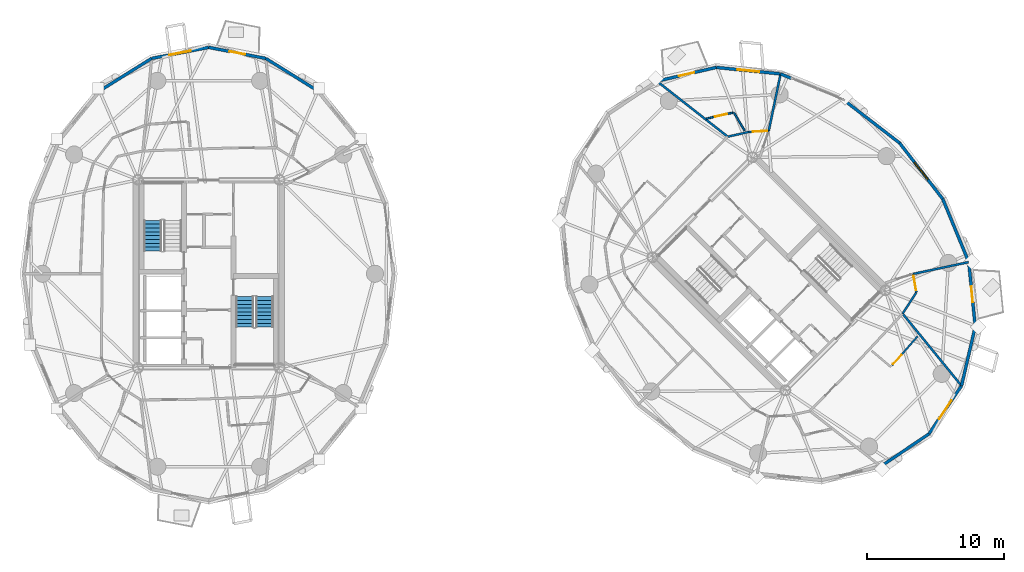
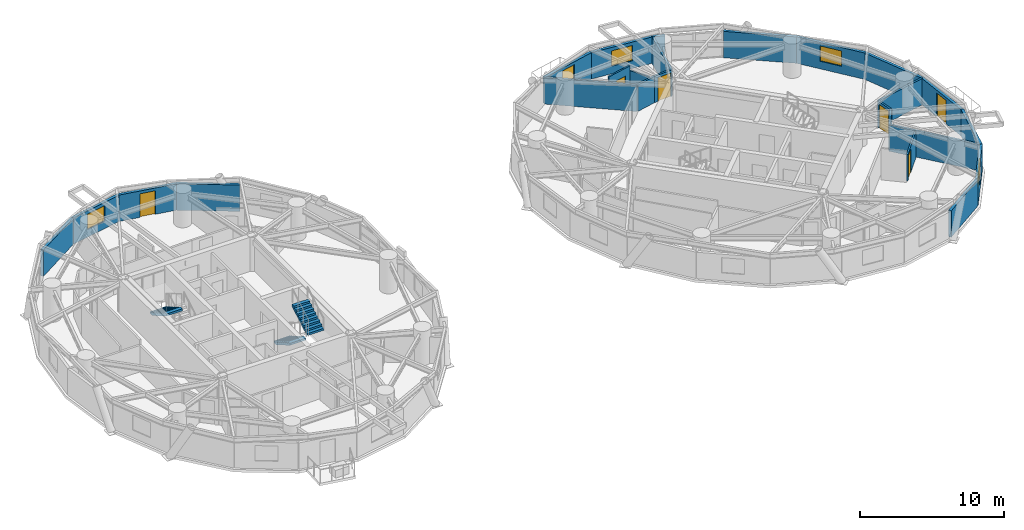
# One storey, part 15 of 19: 25 walls, 7 doors, 4 windows, 3 stair flights, 11 openings, 2 elements without a shape of their own.
"""IFC4 building model written with IfcOpenShell, lengths in metres."""

from ifc_helpers import new_model, si_unit, direction, frame, frame_2d, origin, place, context, subcontext, project, spatial, polyline, rectangle, outline, extrude, source, transform, mapped, material, layer, layer_set, type_object, element, fill, aggregate, save


model = new_model("IFC4")

# Units and contexts
model_context = context("Model", 3, precision=1e-05, world=origin(), true_north=direction((0.0, 1.0)))
body_context = subcontext(model_context, "Body", "Model", "MODEL_VIEW")
ifc_project = project(units=[si_unit("LENGTHUNIT", "METRE"), si_unit("AREAUNIT", "SQUARE_METRE"), si_unit("VOLUMEUNIT", "CUBIC_METRE"), si_unit("PLANEANGLEUNIT", "RADIAN"), si_unit("MASSUNIT", "GRAM", prefix="KILO")], contexts=[model_context])

# Site, building, storey
site_placement = place(None, origin())
site = spatial("IfcSite", under=ifc_project, at=site_placement, CompositionType="ELEMENT")
building_placement = place(site_placement, origin())
building = spatial("IfcBuilding", under=site, at=building_placement, Name="Cununo Teusaquillo Station Towers", CompositionType="ELEMENT")
storey_placement = place(building_placement, frame((0.0, 0.0, 177.7900390625)))
storey = spatial("IfcBuildingStorey", under=building, at=storey_placement, Name="L56", CompositionType="ELEMENT", Elevation=177.7900390625)

# Wall
ifc_material_1 = material(Name="Precast concrete C40/50", Category="concrete")
ifc_layer_1 = layer(ifc_material_1, 0.219970703125)
ifc_layer_set_1 = layer_set([ifc_layer_1], Name="Precast concrete C40/50")
wall_type_1 = type_object("IfcWallType", Name="WL-EXT-220", PredefinedType="SOLIDWALL", material=ifc_layer_set_1)
wall_1_placement = place(storey_placement, frame((20.681396484375, 40.259033203125, 0.0), z_axis=(0.0, 0.0, 1.0), x_axis=(0.848399108042, -0.529357113368, 0.0)))
element("IfcWall", 1, at=wall_1_placement, inside=storey, type_object=wall_type_1, Name="L56 Tower A Exterior Facade Wall C03", PredefinedType="SOLIDWALL", context=body_context, shape_type="SweptSolid", body=[
    extrude(rectangle(XDim=4.446044921875, YDim=0.219970703125, at=frame_2d((2.22314453125, 0.0))), origin(), (0.0, 0.0, 1.0), 2.244873046875),
])

# Wall, opening, door
wall_2_placement = place(storey_placement, frame((16.5, 41.070068359375, 0.0), z_axis=(0.0, 0.0, 1.0), x_axis=(0.981703883443, -0.190413983815, 0.0)))
wall_2 = element("IfcWall", 2, at=wall_2_placement, inside=storey, type_object=wall_type_1, Name="L56 Tower A Exterior Facade Wall C04", PredefinedType="SOLIDWALL", context=body_context, shape_type="SweptSolid", body=[
    extrude(rectangle(XDim=4.25927734375, YDim=0.219970703125, at=frame_2d((2.129638671875, 0.0))), origin(), (0.0, 0.0, 1.0), 2.244873046875),
])
shared_shape_1 = source(origin(), body_context, "Body", "SweptSolid", [
    extrude(rectangle(XDim=1.14990234375, YDim=2.0048828125, at=frame_2d((0.574951171875, 1.00244140625))), frame((0.0, 0.119873046875, 0.0), z_axis=(0.0, -1.0, 0.0), x_axis=(1.0, 0.0, 0.0)), (0.0, 0.0, 1.0), 0.239990234375),
])
opening_1_placement = place(wall_2_placement, frame((1.554931640625, 0.0, 0.0)))
opening_1 = element("IfcOpeningElement", 3, at=opening_1_placement, cuts=wall_2, Name="Opening ED-03", PredefinedType="OPENING", context=body_context, shape_type="MappedRepresentation", body=[
    mapped(shared_shape_1, transform((0.0, 0.0, 0.0), x_axis=(1.0, 0.0, 0.0), y_axis=(0.0, 1.0, 0.0), z_axis=(0.0, 0.0, 1.0), scale=1.0)),
])
ifc_material_2 = material(Name="Anodised dark bronze aluminium EN AW-6063-T6", Category="aluminium")
door_type_1 = type_object("IfcDoorType", Name="DR-EXT-BAL", OperationType="NOTDEFINED", PredefinedType="DOOR", material=ifc_material_2)
shared_shape_2 = source(origin(), body_context, "Body", "SweptSolid", [
    extrude(rectangle(XDim=1.14990234375, YDim=2.0048828125, at=frame_2d((0.574951171875, 1.00244140625))), frame((0.0, 0.02490234375, 0.0), z_axis=(0.0, -1.0, 0.0), x_axis=(1.0, 0.0, 0.0)), (0.0, 0.0, 1.0), 0.050048828125),
])
door_1_placement = place(opening_1_placement, origin())
door_1 = element("IfcDoor", 4, at=door_1_placement, inside=storey, type_object=door_type_1, Name="L56 Tower A Tree Balcony Door C04", OperationType="SINGLE_SWING_LEFT", OverallHeight=2.0048828125, OverallWidth=1.14990234375, PredefinedType="DOOR", context=body_context, shape_type="MappedRepresentation", body=[
    mapped(shared_shape_2, transform((0.0, 0.0, 0.0), x_axis=(1.0, 0.0, 0.0), y_axis=(0.0, 1.0, 0.0), z_axis=(0.0, 0.0, 1.0), scale=1.0)),
])
fill(opening_1, door_1)

# Wall, opening, window
wall_3_placement = place(storey_placement, frame((12.318603515625, 40.259033203125, 0.0), z_axis=(0.0, 0.0, 1.0), x_axis=(0.981703883443, 0.190413983815, 0.0)))
wall_3 = element("IfcWall", 5, at=wall_3_placement, inside=storey, type_object=wall_type_1, Name="L56 Tower A Exterior Facade Wall C05", PredefinedType="SOLIDWALL", context=body_context, shape_type="SweptSolid", body=[
    extrude(rectangle(XDim=4.25927734375, YDim=0.219970703125, at=frame_2d((2.129638671875, 0.0))), origin(), (0.0, 0.0, 1.0), 2.244873046875),
])
shared_shape_3 = source(origin(), body_context, "Body", "SweptSolid", [
    extrude(rectangle(XDim=1.60009765625, YDim=1.300048828125, at=frame_2d((0.800048828125, 0.64990234375))), frame((0.0, 0.119873046875, 0.0), z_axis=(0.0, -1.0, 0.0), x_axis=(1.0, 0.0, 0.0)), (0.0, 0.0, 1.0), 0.239990234375),
])
opening_2_placement = place(wall_3_placement, frame((1.330078125, 0.0, 0.64990234375)))
opening_2 = element("IfcOpeningElement", 6, at=opening_2_placement, cuts=wall_3, Name="Opening WN-03", PredefinedType="OPENING", context=body_context, shape_type="MappedRepresentation", body=[
    mapped(shared_shape_3, transform((0.0, 0.0, 0.0), x_axis=(1.0, 0.0, 0.0), y_axis=(0.0, 1.0, 0.0), z_axis=(0.0, 0.0, 1.0), scale=1.0)),
])
ifc_material_3 = material(Name="Ceramic-fritted dark low-E double glazing", Category="glass")
window_type = type_object("IfcWindowType", Name="WIN-CORN-1600", PartitioningType="SINGLE_PANEL", PredefinedType="WINDOW", material=ifc_material_3)
shared_shape_4 = source(origin(), body_context, "Body", "SweptSolid", [
    extrude(rectangle(XDim=1.60009765625, YDim=1.300048828125, at=frame_2d((0.800048828125, 0.64990234375))), frame((0.0, 0.030029296875, 0.0), z_axis=(0.0, -1.0, 0.0), x_axis=(1.0, 0.0, 0.0)), (0.0, 0.0, 1.0), 0.06005859375),
])
window_1_placement = place(opening_2_placement, origin())
window_1 = element("IfcWindow", 7, at=window_1_placement, inside=storey, type_object=window_type, Name="L56 Tower A Facade Window C05", OverallHeight=1.300048828125, OverallWidth=1.60009765625, PartitioningType="SINGLE_PANEL", PredefinedType="WINDOW", context=body_context, shape_type="MappedRepresentation", body=[
    mapped(shared_shape_4, transform((0.0, 0.0, 0.0), x_axis=(1.0, 0.0, 0.0), y_axis=(0.0, 1.0, 0.0), z_axis=(0.0, 0.0, 1.0), scale=1.0)),
])
fill(opening_2, window_1)

# Walls
wall_4_placement = place(storey_placement, frame((8.546630859375, 37.905517578125, 0.0), z_axis=(0.0, 0.0, 1.0), x_axis=(0.848399108042, 0.529357113368, 0.0)))
element("IfcWall", 8, at=wall_4_placement, inside=storey, type_object=wall_type_1, Name="L56 Tower A Exterior Facade Wall C06", PredefinedType="SOLIDWALL", context=body_context, shape_type="SweptSolid", body=[
    extrude(rectangle(XDim=4.446044921875, YDim=0.219970703125, at=frame_2d((2.22314453125, 0.0))), origin(), (0.0, 0.0, 1.0), 2.244873046875),
])
wall_5_placement = place(storey_placement, frame((62.97900390625, 37.22021484375, 0.0), z_axis=(0.0, 0.0, 1.0), x_axis=(0.791962560189, -0.610569654715, 0.0)))
element("IfcWall", 9, at=wall_5_placement, inside=storey, type_object=wall_type_1, Name="L56 Tower B Exterior Facade Wall C00", PredefinedType="SOLIDWALL", context=body_context, shape_type="SweptSolid", body=[
    extrude(rectangle(XDim=5.162841796875, YDim=0.219970703125, at=frame_2d((2.58154296875, 0.0))), origin(), (0.0, 0.0, 1.0), 2.244873046875),
])
wall_6_placement = place(storey_placement, frame((58.353515625, 39.12744140625, 0.0), z_axis=(0.0, 0.0, 1.0), x_axis=(0.924556017656, -0.381046152345, 0.0)))
element("IfcWall", 10, at=wall_6_placement, inside=storey, type_object=wall_type_1, Name="L56 Tower B Column Pier Cladding Wall C01-PA", PredefinedType="SOLIDWALL", context=body_context, shape_type="SweptSolid", body=[
    extrude(rectangle(XDim=0.8701171875, YDim=0.219970703125, at=frame_2d((0.43505859375, 0.0))), origin(), (0.0, 0.0, 1.0), 2.244873046875),
])

# Wall, opening, window
wall_7_placement = place(storey_placement, frame((53.644775390625, 39.602783203125, 0.0), z_axis=(0.0, 0.0, 1.0), x_axis=(0.994943283129, -0.100438356004, 0.0)))
wall_7 = element("IfcWall", 11, at=wall_7_placement, inside=storey, type_object=wall_type_1, Name="L56 Tower B Exterior Facade Wall C02", PredefinedType="SOLIDWALL", context=body_context, shape_type="SweptSolid", body=[
    extrude(rectangle(XDim=4.732666015625, YDim=0.219970703125, at=frame_2d((2.3662109375, 0.0))), origin(), (0.0, 0.0, 1.0), 2.244873046875),
])
opening_3_placement = place(wall_7_placement, frame((1.56591796875, 0.0, 0.64990234375)))
opening_3 = element("IfcOpeningElement", 12, at=opening_3_placement, cuts=wall_7, Name="Opening WN-03", PredefinedType="OPENING", context=body_context, shape_type="MappedRepresentation", body=[
    mapped(shared_shape_3, transform((0.0, 0.0, 0.0), x_axis=(1.0, 0.0, 0.0), y_axis=(0.0, 1.0, 0.0), z_axis=(0.0, 0.0, 1.0), scale=1.0)),
])
window_2_placement = place(opening_3_placement, origin())
window_2 = element("IfcWindow", 13, at=window_2_placement, inside=storey, type_object=window_type, Name="L56 Tower B Facade Window C02", OverallHeight=1.300048828125, OverallWidth=1.60009765625, PartitioningType="SINGLE_PANEL", PredefinedType="WINDOW", context=body_context, shape_type="MappedRepresentation", body=[
    mapped(shared_shape_4, transform((0.0, 0.0, 0.0), x_axis=(1.0, 0.0, 0.0), y_axis=(0.0, 1.0, 0.0), z_axis=(0.0, 0.0, 1.0), scale=1.0)),
])
fill(opening_3, window_2)

# Wall, opening, door
wall_8_placement = place(storey_placement, frame((49.313232421875, 38.599853515625, 0.0), z_axis=(0.0, 0.0, 1.0), x_axis=(0.97422620202, 0.22557328587, 0.0)))
wall_8 = element("IfcWall", 14, at=wall_8_placement, inside=storey, type_object=wall_type_1, Name="L56 Tower B Exterior Facade Wall C03", PredefinedType="SOLIDWALL", context=body_context, shape_type="SweptSolid", body=[
    extrude(rectangle(XDim=4.446044921875, YDim=0.219970703125, at=frame_2d((2.22314453125, 0.0))), origin(), (0.0, 0.0, 1.0), 2.244873046875),
])
opening_4_placement = place(wall_8_placement, frame((1.64794921875, 0.0, 0.0)))
opening_4 = element("IfcOpeningElement", 15, at=opening_4_placement, cuts=wall_8, Name="Opening ED-03", PredefinedType="OPENING", context=body_context, shape_type="MappedRepresentation", body=[
    mapped(shared_shape_1, transform((0.0, 0.0, 0.0), x_axis=(1.0, 0.0, 0.0), y_axis=(0.0, 1.0, 0.0), z_axis=(0.0, 0.0, 1.0), scale=1.0)),
])
door_2_placement = place(opening_4_placement, origin())
door_2 = element("IfcDoor", 16, at=door_2_placement, inside=storey, type_object=door_type_1, Name="L56 Tower B Tree Balcony Door C03", OperationType="SINGLE_SWING_LEFT", OverallHeight=2.0048828125, OverallWidth=1.14990234375, PredefinedType="DOOR", context=body_context, shape_type="MappedRepresentation", body=[
    mapped(shared_shape_2, transform((0.0, 0.0, 0.0), x_axis=(1.0, 0.0, 0.0), y_axis=(0.0, 1.0, 0.0), z_axis=(0.0, 0.0, 1.0), scale=1.0)),
])
fill(opening_4, door_2)

# Wall
wall_9_placement = place(storey_placement, frame((69.216796875, 12.783203125, 0.0), z_axis=(0.0, 0.0, 1.0), x_axis=(-0.828817439852, -0.55951912514, 0.0)))
element("IfcWall", 17, at=wall_9_placement, inside=storey, type_object=wall_type_1, Name="L56 Tower B Exterior Facade Wall C14", PredefinedType="SOLIDWALL", context=body_context, shape_type="SweptSolid", body=[
    extrude(rectangle(XDim=4.259033203125, YDim=0.219970703125, at=frame_2d((2.12939453125, 0.0))), origin(), (0.0, 0.0, 1.0), 2.244873046875),
])

# Wall, opening, window
wall_10_placement = place(storey_placement, frame((71.599853515625, 16.313232421875, 0.0), z_axis=(0.0, 0.0, 1.0), x_axis=(-0.55951912514, -0.828817439852, 0.0)))
wall_10 = element("IfcWall", 18, at=wall_10_placement, inside=storey, type_object=wall_type_1, Name="L56 Tower B Exterior Facade Wall C15", PredefinedType="SOLIDWALL", context=body_context, shape_type="SweptSolid", body=[
    extrude(rectangle(XDim=4.259033203125, YDim=0.219970703125, at=frame_2d((2.12939453125, 0.0))), origin(), (0.0, 0.0, 1.0), 2.244873046875),
])
opening_5_placement = place(wall_10_placement, frame((1.330078125, 0.0, 0.64990234375)))
opening_5 = element("IfcOpeningElement", 19, at=opening_5_placement, cuts=wall_10, Name="Opening WN-03", PredefinedType="OPENING", context=body_context, shape_type="MappedRepresentation", body=[
    mapped(shared_shape_3, transform((0.0, 0.0, 0.0), x_axis=(1.0, 0.0, 0.0), y_axis=(0.0, 1.0, 0.0), z_axis=(0.0, 0.0, 1.0), scale=1.0)),
])
window_3_placement = place(opening_5_placement, origin())
window_3 = element("IfcWindow", 20, at=window_3_placement, inside=storey, type_object=window_type, Name="L56 Tower B Facade Window C15", OverallHeight=1.300048828125, OverallWidth=1.60009765625, PartitioningType="SINGLE_PANEL", PredefinedType="WINDOW", context=body_context, shape_type="MappedRepresentation", body=[
    mapped(shared_shape_4, transform((0.0, 0.0, 0.0), x_axis=(1.0, 0.0, 0.0), y_axis=(0.0, 1.0, 0.0), z_axis=(0.0, 0.0, 1.0), scale=1.0)),
])
fill(opening_5, window_3)

# Wall
wall_11_placement = place(storey_placement, frame((72.602783203125, 20.644775390625, 0.0), z_axis=(0.0, 0.0, 1.0), x_axis=(-0.22557328587, -0.97422620202, 0.0)))
element("IfcWall", 21, at=wall_11_placement, inside=storey, type_object=wall_type_1, Name="L56 Tower B Exterior Facade Wall C16", PredefinedType="SOLIDWALL", context=body_context, shape_type="SweptSolid", body=[
    extrude(rectangle(XDim=4.446044921875, YDim=0.219970703125, at=frame_2d((2.22314453125, 0.0))), origin(), (0.0, 0.0, 1.0), 2.244873046875),
])

# Wall, opening, door
wall_12_placement = place(storey_placement, frame((72.12744140625, 25.353515625, 0.0), z_axis=(0.0, 0.0, 1.0), x_axis=(0.100438356004, -0.994943283129, 0.0)))
wall_12 = element("IfcWall", 22, at=wall_12_placement, inside=storey, type_object=wall_type_1, Name="L56 Tower B Exterior Facade Wall C17", PredefinedType="SOLIDWALL", context=body_context, shape_type="SweptSolid", body=[
    extrude(rectangle(XDim=4.732666015625, YDim=0.219970703125, at=frame_2d((2.3662109375, 0.0))), origin(), (0.0, 0.0, 1.0), 2.244873046875),
])
opening_6_placement = place(wall_12_placement, frame((1.791015625, 0.0, 0.0)))
opening_6 = element("IfcOpeningElement", 23, at=opening_6_placement, cuts=wall_12, Name="Opening ED-03", PredefinedType="OPENING", context=body_context, shape_type="MappedRepresentation", body=[
    mapped(shared_shape_1, transform((0.0, 0.0, 0.0), x_axis=(1.0, 0.0, 0.0), y_axis=(0.0, 1.0, 0.0), z_axis=(0.0, 0.0, 1.0), scale=1.0)),
])
door_3_placement = place(opening_6_placement, origin())
door_3 = element("IfcDoor", 24, at=door_3_placement, inside=storey, type_object=door_type_1, Name="L56 Tower B Tree Balcony Door C17", OperationType="SINGLE_SWING_LEFT", OverallHeight=2.0048828125, OverallWidth=1.14990234375, PredefinedType="DOOR", context=body_context, shape_type="MappedRepresentation", body=[
    mapped(shared_shape_2, transform((0.0, 0.0, 0.0), x_axis=(1.0, 0.0, 0.0), y_axis=(0.0, 1.0, 0.0), z_axis=(0.0, 0.0, 1.0), scale=1.0)),
])
fill(opening_6, door_3)

# Wall
wall_13_placement = place(storey_placement, frame((70.22021484375, 29.97900390625, 0.0), z_axis=(0.0, 0.0, 1.0), x_axis=(0.381196434348, -0.924494066201, 0.0)))
element("IfcWall", 25, at=wall_13_placement, inside=storey, type_object=wall_type_1, Name="L56 Tower B Exterior Facade Wall C18", PredefinedType="SOLIDWALL", context=body_context, shape_type="SweptSolid", body=[
    extrude(rectangle(XDim=5.003173828125, YDim=0.219970703125, at=frame_2d((2.50146484375, 0.0))), origin(), (0.0, 0.0, 1.0), 2.244873046875),
])

# Wall, opening, window
wall_14_placement = place(storey_placement, frame((67.06787109375, 34.06787109375, 0.0), z_axis=(0.0, 0.0, 1.0), x_axis=(0.610569654715, -0.791962560189, 0.0)))
wall_14 = element("IfcWall", 26, at=wall_14_placement, inside=storey, type_object=wall_type_1, Name="L56 Tower B Exterior Facade Wall C19", PredefinedType="SOLIDWALL", context=body_context, shape_type="SweptSolid", body=[
    extrude(rectangle(XDim=5.162841796875, YDim=0.219970703125, at=frame_2d((2.58154296875, 0.0))), origin(), (0.0, 0.0, 1.0), 2.244873046875),
])
opening_7_placement = place(wall_14_placement, frame((1.781982421875, 0.0, 0.64990234375)))
opening_7 = element("IfcOpeningElement", 27, at=opening_7_placement, cuts=wall_14, Name="Opening WN-03", PredefinedType="OPENING", context=body_context, shape_type="MappedRepresentation", body=[
    mapped(shared_shape_3, transform((0.0, 0.0, 0.0), x_axis=(1.0, 0.0, 0.0), y_axis=(0.0, 1.0, 0.0), z_axis=(0.0, 0.0, 1.0), scale=1.0)),
])
window_4_placement = place(opening_7_placement, origin())
window_4 = element("IfcWindow", 28, at=window_4_placement, inside=storey, type_object=window_type, Name="L56 Tower B Facade Window C19", OverallHeight=1.300048828125, OverallWidth=1.60009765625, PartitioningType="SINGLE_PANEL", PredefinedType="WINDOW", context=body_context, shape_type="MappedRepresentation", body=[
    mapped(shared_shape_4, transform((0.0, 0.0, 0.0), x_axis=(1.0, 0.0, 0.0), y_axis=(0.0, 1.0, 0.0), z_axis=(0.0, 0.0, 1.0), scale=1.0)),
])
fill(opening_7, window_4)

# Wall
ifc_material_4 = material(Name="Fire-rated gypsum plasterboard partition assembly", Category="gypsum")
ifc_layer_2 = layer(ifc_material_4, 0.125)
ifc_layer_set_2 = layer_set([ifc_layer_2], Name="Fire-rated gypsum plasterboard partition assembly")
wall_type_2 = type_object("IfcWallType", Name="WL-PART-125", PredefinedType="PARTITIONING", material=ifc_layer_set_2)
wall_15_placement = place(storey_placement, frame((55.726806640625, 34.969970703125, 0.0), z_axis=(0.0, 0.0, 1.0), x_axis=(-0.514518774568, 0.857479113808, 0.0)))
element("IfcWall", 29, at=wall_15_placement, inside=storey, type_object=wall_type_2, Name="L56 Tower B S01 En-suite Side Wall", PredefinedType="PARTITIONING", context=body_context, shape_type="SweptSolid", body=[
    extrude(rectangle(XDim=1.5595703125, YDim=0.125, at=frame_2d((0.77978515625, 0.0))), origin(), (0.0, 0.0, 1.0), 2.244873046875),
])

# Wall, opening, door
wall_16_placement = place(storey_placement, frame((54.863525390625, 36.29345703125, 0.0), z_axis=(0.0, 0.0, 1.0), x_axis=(-0.974875983782, -0.222748324896, 0.0)))
wall_16 = element("IfcWall", 30, at=wall_16_placement, inside=storey, type_object=wall_type_2, Name="L56 Tower B S01 En-suite Back Wall", PredefinedType="PARTITIONING", context=body_context, shape_type="SweptSolid", body=[
    extrude(rectangle(XDim=1.99365234375, YDim=0.125, at=frame_2d((0.996826171875, 0.0))), origin(), (0.0, 0.0, 1.0), 2.675048828125),
])
shared_shape_5 = source(origin(), body_context, "Body", "SweptSolid", [
    extrude(rectangle(XDim=0.89990234375, YDim=2.0048828125, at=frame_2d((0.449951171875, 1.00244140625))), frame((0.0, 0.072509765625, 0.0), z_axis=(0.0, -1.0, 0.0), x_axis=(1.0, 0.0, 0.0)), (0.0, 0.0, 1.0), 0.14501953125),
])
opening_8_placement = place(wall_16_placement, frame((0.440185546875, 0.0, 0.0)))
opening_8 = element("IfcOpeningElement", 31, at=opening_8_placement, cuts=wall_16, Name="Opening D-IN1", PredefinedType="OPENING", context=body_context, shape_type="MappedRepresentation", body=[
    mapped(shared_shape_5, transform((0.0, 0.0, 0.0), x_axis=(1.0, 0.0, 0.0), y_axis=(0.0, 1.0, 0.0), z_axis=(0.0, 0.0, 1.0), scale=1.0)),
])
ifc_material_5 = material(Name="Acoustic solid-core hardwood leaf assembly", Category="wood")
door_type_2 = type_object("IfcDoorType", Name="DR-INT-900", OperationType="NOTDEFINED", PredefinedType="DOOR", material=ifc_material_5)
shared_shape_6 = source(origin(), body_context, "Body", "SweptSolid", [
    extrude(rectangle(XDim=0.89990234375, YDim=2.0048828125, at=frame_2d((0.449951171875, 1.00244140625))), frame((0.0, 0.02490234375, 0.0), z_axis=(0.0, -1.0, 0.0), x_axis=(1.0, 0.0, 0.0)), (0.0, 0.0, 1.0), 0.050048828125),
])
door_4_placement = place(opening_8_placement, origin())
door_4 = element("IfcDoor", 32, at=door_4_placement, inside=storey, type_object=door_type_2, Name="L56 Tower B S01 En-suite Bathroom Door", OperationType="SINGLE_SWING_LEFT", OverallHeight=2.0048828125, OverallWidth=0.89990234375, PredefinedType="DOOR", context=body_context, shape_type="MappedRepresentation", body=[
    mapped(shared_shape_6, transform((0.0, 0.0, 0.0), x_axis=(1.0, 0.0, 0.0), y_axis=(0.0, 1.0, 0.0), z_axis=(0.0, 0.0, 1.0), scale=1.0)),
])
fill(opening_8, door_4)

wall_17_placement = place(storey_placement, frame((66.520263671875, 17.794677734375, 0.0), z_axis=(0.0, 0.0, 1.0), x_axis=(0.658266024679, 0.752785388244, 0.0)))
wall_17 = element("IfcWall", 33, at=wall_17_placement, inside=storey, type_object=wall_type_2, Name="L56 Tower B S06 En-suite Back Wall", PredefinedType="PARTITIONING", context=body_context, shape_type="SweptSolid", body=[
    extrude(rectangle(XDim=2.82568359375, YDim=0.125, at=frame_2d((1.412841796875, 0.0))), origin(), (0.0, 0.0, 1.0), 2.244873046875),
])
opening_9_placement = place(wall_17_placement, frame((0.1201171875, 0.0, 0.0)))
opening_9 = element("IfcOpeningElement", 34, at=opening_9_placement, cuts=wall_17, Name="Opening D-IN1", PredefinedType="OPENING", context=body_context, shape_type="MappedRepresentation", body=[
    mapped(shared_shape_5, transform((0.0, 0.0, 0.0), x_axis=(1.0, 0.0, 0.0), y_axis=(0.0, 1.0, 0.0), z_axis=(0.0, 0.0, 1.0), scale=1.0)),
])
door_5_placement = place(opening_9_placement, origin())
door_5 = element("IfcDoor", 35, at=door_5_placement, inside=storey, type_object=door_type_2, Name="L56 Tower B S06 En-suite Bathroom Door", OperationType="SINGLE_SWING_RIGHT", OverallHeight=2.0048828125, OverallWidth=0.89990234375, PredefinedType="DOOR", context=body_context, shape_type="MappedRepresentation", body=[
    mapped(shared_shape_6, transform((0.0, 0.0, 0.0), x_axis=(1.0, 0.0, 0.0), y_axis=(0.0, 1.0, 0.0), z_axis=(0.0, 0.0, 1.0), scale=1.0)),
])
fill(opening_9, door_5)

ifc_material_6 = material(Name="Fire-rated gypsum plasterboard partition assembly", Category="gypsum")
ifc_layer_3 = layer(ifc_material_6, 0.14990234375)
ifc_layer_set_3 = layer_set([ifc_layer_3], Name="Fire-rated gypsum plasterboard partition assembly")
wall_type_3 = type_object("IfcWallType", Name="WL-PART-150", PredefinedType="PARTITIONING", material=ifc_layer_set_3)
wall_18_placement = place(storey_placement, frame((57.486328125, 34.96044921875, 0.0), z_axis=(0.0, 0.0, 1.0), x_axis=(-0.998483871836, -0.055045051404, 0.0)))
wall_18 = element("IfcWall", 36, at=wall_18_placement, inside=storey, type_object=wall_type_3, Name="L56 Tower B Corridor Ring Wall C02", PredefinedType="PARTITIONING", context=body_context, shape_type="SweptSolid", body=[
    extrude(rectangle(XDim=1.463623046875, YDim=0.14990234375, at=frame_2d((0.73193359375, 0.0))), origin(), (0.0, 0.0, 1.0), 2.244873046875),
])
shared_shape_7 = source(origin(), body_context, "Body", "SweptSolid", [
    extrude(rectangle(XDim=1.050048828125, YDim=2.014892578125, at=frame_2d((0.52490234375, 1.00732421875))), frame((0.0, 0.0849609375, 0.0), z_axis=(0.0, -1.0, 0.0), x_axis=(1.0, 0.0, 0.0)), (0.0, 0.0, 1.0), 0.169921875),
])
opening_10_placement = place(wall_18_placement, frame((0.1201171875, 0.0, 0.0)))
opening_10 = element("IfcOpeningElement", 37, at=opening_10_placement, cuts=wall_18, Name="Opening D-SU1", PredefinedType="OPENING", context=body_context, shape_type="MappedRepresentation", body=[
    mapped(shared_shape_7, transform((0.0, 0.0, 0.0), x_axis=(1.0, 0.0, 0.0), y_axis=(0.0, 1.0, 0.0), z_axis=(0.0, 0.0, 1.0), scale=1.0)),
])
ifc_material_7 = material(Name="Acoustic solid-core hardwood leaf assembly", Category="wood")
door_type_3 = type_object("IfcDoorType", Name="DR-SUITE-1050", OperationType="NOTDEFINED", PredefinedType="DOOR", material=ifc_material_7)
shared_shape_8 = source(origin(), body_context, "Body", "SweptSolid", [
    extrude(rectangle(XDim=1.050048828125, YDim=2.014892578125, at=frame_2d((0.52490234375, 1.00732421875))), frame((0.0, 0.02490234375, 0.0), z_axis=(0.0, -1.0, 0.0), x_axis=(1.0, 0.0, 0.0)), (0.0, 0.0, 1.0), 0.050048828125),
])
door_6_placement = place(opening_10_placement, origin())
door_6 = element("IfcDoor", 38, at=door_6_placement, inside=storey, type_object=door_type_3, Name="L56 Tower B Summit Club Hotel Suite Entrance Door", OperationType="SINGLE_SWING_RIGHT", OverallHeight=2.014892578125, OverallWidth=1.050048828125, PredefinedType="DOOR", context=body_context, shape_type="MappedRepresentation", body=[
    mapped(shared_shape_8, transform((0.0, 0.0, 0.0), x_axis=(1.0, 0.0, 0.0), y_axis=(0.0, 1.0, 0.0), z_axis=(0.0, 0.0, 1.0), scale=1.0)),
])
fill(opening_10, door_6)

# Walls
wall_19_placement = place(storey_placement, frame((56.02490234375, 34.8798828125, 0.0), z_axis=(0.0, 0.0, 1.0), x_axis=(-0.975729093394, -0.218981132301, 0.0)))
element("IfcWall", 39, at=wall_19_placement, inside=storey, type_object=wall_type_3, Name="L56 Tower B Corridor Ring Wall C03", PredefinedType="PARTITIONING", context=body_context, shape_type="SweptSolid", body=[
    extrude(rectangle(XDim=1.575439453125, YDim=0.14990234375, at=frame_2d((0.78759765625, 0.0))), origin(), (0.0, 0.0, 1.0), 2.244873046875),
])
wall_20_placement = place(storey_placement, frame((67.28662109375, 21.582275390625, 0.0), z_axis=(0.0, 0.0, 1.0), x_axis=(0.543202443884, 0.839601753785, 0.0)))
element("IfcWall", 40, at=wall_20_placement, inside=storey, type_object=wall_type_3, Name="L56 Tower B Corridor Ring Wall C16", PredefinedType="PARTITIONING", context=body_context, shape_type="SweptSolid", body=[
    extrude(rectangle(XDim=1.86572265625, YDim=0.14990234375, at=frame_2d((0.932861328125, 0.0))), origin(), (0.0, 0.0, 1.0), 2.244873046875),
])

# Wall, opening, door
wall_21_placement = place(storey_placement, frame((68.300048828125, 23.148681640625, 0.0), z_axis=(0.0, 0.0, 1.0), x_axis=(-0.176423554694, 0.984314344785, 0.0)))
wall_21 = element("IfcWall", 41, at=wall_21_placement, inside=storey, type_object=wall_type_3, Name="L56 Tower B Corridor Ring Wall C17", PredefinedType="PARTITIONING", context=body_context, shape_type="SweptSolid", body=[
    extrude(rectangle(XDim=1.361572265625, YDim=0.14990234375, at=frame_2d((0.6806640625, 0.0))), origin(), (0.0, 0.0, 1.0), 2.244873046875),
])
opening_11_placement = place(wall_21_placement, frame((0.156005859375, 0.0, 0.0)))
opening_11 = element("IfcOpeningElement", 42, at=opening_11_placement, cuts=wall_21, Name="Opening D-SU1", PredefinedType="OPENING", context=body_context, shape_type="MappedRepresentation", body=[
    mapped(shared_shape_7, transform((0.0, 0.0, 0.0), x_axis=(1.0, 0.0, 0.0), y_axis=(0.0, 1.0, 0.0), z_axis=(0.0, 0.0, 1.0), scale=1.0)),
])
door_7_placement = place(opening_11_placement, origin())
door_7 = element("IfcDoor", 43, at=door_7_placement, inside=storey, type_object=door_type_3, Name="L56 Tower B Hotel Housekeeping & Linen Pantry Entrance Door", OperationType="SINGLE_SWING_LEFT", OverallHeight=2.014892578125, OverallWidth=1.050048828125, PredefinedType="DOOR", context=body_context, shape_type="MappedRepresentation", body=[
    mapped(shared_shape_8, transform((0.0, 0.0, 0.0), x_axis=(1.0, 0.0, 0.0), y_axis=(0.0, 1.0, 0.0), z_axis=(0.0, 0.0, 1.0), scale=1.0)),
])
fill(opening_11, door_7)

# Walls
ifc_material_8 = material(Name="Fire-rated gypsum plasterboard partition assembly", Category="gypsum")
ifc_layer_4 = layer(ifc_material_8, 0.159912109375)
ifc_layer_set_4 = layer_set([ifc_layer_4], Name="Fire-rated gypsum plasterboard partition assembly")
wall_type_4 = type_object("IfcWallType", Name="WL-PART-160", PredefinedType="PARTITIONING", material=ifc_layer_set_4)
wall_22_placement = place(storey_placement, frame((57.486328125, 34.96044921875, 0.0), z_axis=(0.0, 0.0, 1.0), x_axis=(0.204011788318, 0.978968431681, 0.0)))
element("IfcWall", 44, at=wall_22_placement, inside=storey, type_object=wall_type_4, Name="L56 Tower B Radial Suite Partition R01", PredefinedType="PARTITIONING", context=body_context, shape_type="SweptSolid", body=[
    extrude(rectangle(XDim=4.236328125, YDim=0.159912109375, at=frame_2d((2.1181640625, 0.0))), origin(), (0.0, 0.0, 1.0), 2.244873046875),
])
wall_23_placement = place(storey_placement, frame((54.48779296875, 34.534912109375, 0.0), z_axis=(0.0, 0.0, 1.0), x_axis=(-0.787155500995, 0.616754584298, 0.0)))
element("IfcWall", 45, at=wall_23_placement, inside=storey, type_object=wall_type_4, Name="L56 Tower B Radial Suite Partition R02", PredefinedType="PARTITIONING", context=body_context, shape_type="SweptSolid", body=[
    extrude(rectangle(XDim=6.56201171875, YDim=0.159912109375, at=frame_2d((3.281005859375, 0.0))), origin(), (0.0, 0.0, 1.0), 2.244873046875),
])
wall_24_placement = place(storey_placement, frame((67.28662109375, 21.582275390625, 0.0), z_axis=(0.0, 0.0, 1.0), x_axis=(0.632528819581, -0.774536824431, 0.0)))
element("IfcWall", 46, at=wall_24_placement, inside=storey, type_object=wall_type_4, Name="L56 Tower B Radial Suite Partition R07", PredefinedType="PARTITIONING", context=body_context, shape_type="SweptSolid", body=[
    extrude(rectangle(XDim=6.790771484375, YDim=0.159912109375, at=frame_2d((3.3955078125, 0.0))), origin(), (0.0, 0.0, 1.0), 2.244873046875),
])
wall_25_placement = place(storey_placement, frame((68.059814453125, 24.489013671875, 0.0), z_axis=(0.0, 0.0, 1.0), x_axis=(0.978089830324, 0.2081832938, 0.0)))
element("IfcWall", 47, at=wall_25_placement, inside=storey, type_object=wall_type_4, Name="L56 Tower B Radial Suite Partition R08", PredefinedType="PARTITIONING", context=body_context, shape_type="SweptSolid", body=[
    extrude(rectangle(XDim=4.138427734375, YDim=0.159912109375, at=frame_2d((2.0693359375, 0.0))), origin(), (0.0, 0.0, 1.0), 2.244873046875),
])

# Stair, stair flight
ifc_material_9 = material(Name="Concrete C50/60", Category="concrete")
stair_type = type_object("IfcStairType", Name="ST-TWR-1300", PredefinedType="HALF_TURN_STAIR", material=ifc_material_9)
stair_1_placement = place(storey_placement, origin())
stair_1 = element("IfcStair", 48, at=stair_1_placement, inside=storey, type_object=stair_type, Name="L56 Tower A Protected Core Exit Stair 1", PredefinedType="HALF_TURN_STAIR")
ifc_material_10 = material(Name="Concrete C50/60", Category="concrete")
stair_flight_type = type_object("IfcStairFlightType", Name="SFL-TWR-1300", PredefinedType="STRAIGHT", material=ifc_material_10)
stair_flight_1_placement = place(storey_placement, frame((12.409912109375, 28.409912109375, 1.455078125), z_axis=(0.0, 0.0, 1.0), x_axis=(0.0, -1.0, 0.0)))
stair_flight_1 = element("IfcStairFlight", 49, at=stair_flight_1_placement, type_object=stair_flight_type, Name="ST-T1-1 flight 2", NumberOfRisers=9, NumberOfTreads=8, PredefinedType="STRAIGHT", RiserHeight=0.161666667, TreadLength=0.28, context=body_context, shape_type="SweptSolid", body=[
    extrude(outline(polyline([(0.0, 0.0), (0.0, 0.16162109375), (0.280029296875, 0.16162109375), (0.280029296875, 0.3232421875), (0.56005859375, 0.3232421875), (0.56005859375, 0.485107421875), (0.840087890625, 0.485107421875), (0.840087890625, 0.646728515625), (1.1201171875, 0.646728515625), (1.1201171875, 0.808349609375), (1.39990234375, 0.808349609375), (1.39990234375, 0.969970703125), (1.679931640625, 0.969970703125), (1.679931640625, 1.131591796875), (1.9599609375, 1.131591796875), (1.9599609375, 1.293212890625), (2.239990234375, 1.293212890625), (2.239990234375, 1.455078125), (2.239990234375, 1.1201171875), (0.2998046875, 0.0), (0.0, 0.0)])), frame((0.0, 0.64990234375, 0.0), z_axis=(0.0, -1.0, 0.0), x_axis=(1.0, 0.0, 0.0)), (0.0, 0.0, 1.0), 1.300048828125),
])
aggregate(stair_1, [stair_flight_1])

# Stair, stair flights
stair_2_placement = place(storey_placement, origin())
stair_2 = element("IfcStair", 50, at=stair_2_placement, inside=storey, type_object=stair_type, Name="L56 Tower A Protected Core Exit Stair 2", PredefinedType="HALF_TURN_STAIR")
stair_flight_2_placement = place(storey_placement, frame((19.1298828125, 22.830078125, 0.0), z_axis=(0.0, 0.0, 1.0), x_axis=(0.0, -1.0, 0.0)))
stair_flight_2 = element("IfcStairFlight", 51, at=stair_flight_2_placement, type_object=stair_flight_type, Name="ST-T1-2 flight 1", NumberOfRisers=9, NumberOfTreads=8, PredefinedType="STRAIGHT", RiserHeight=0.161666667, TreadLength=0.28, context=body_context, shape_type="SweptSolid", body=[
    extrude(outline(polyline([(0.0, 0.0), (0.0, 0.16162109375), (0.280029296875, 0.16162109375), (0.280029296875, 0.3232421875), (0.56005859375, 0.3232421875), (0.56005859375, 0.485107421875), (0.840087890625, 0.485107421875), (0.840087890625, 0.646728515625), (1.1201171875, 0.646728515625), (1.1201171875, 0.808349609375), (1.39990234375, 0.808349609375), (1.39990234375, 0.969970703125), (1.679931640625, 0.969970703125), (1.679931640625, 1.131591796875), (1.9599609375, 1.131591796875), (1.9599609375, 1.293212890625), (2.239990234375, 1.293212890625), (2.239990234375, 1.455078125), (2.239990234375, 1.1201171875), (0.2998046875, 0.0), (0.0, 0.0)])), frame((0.0, 0.64990234375, 0.0), z_axis=(0.0, -1.0, 0.0), x_axis=(1.0, 0.0, 0.0)), (0.0, 0.0, 1.0), 1.300048828125),
])
stair_flight_3_placement = place(storey_placement, frame((20.590087890625, 20.590087890625, 1.455078125), z_axis=(0.0, 0.0, 1.0), x_axis=(0.0, 1.0, 0.0)))
stair_flight_3 = element("IfcStairFlight", 52, at=stair_flight_3_placement, type_object=stair_flight_type, Name="ST-T1-2 flight 2", NumberOfRisers=9, NumberOfTreads=8, PredefinedType="STRAIGHT", RiserHeight=0.161666667, TreadLength=0.28, context=body_context, shape_type="SweptSolid", body=[
    extrude(outline(polyline([(0.0, 0.0), (0.0, 0.16162109375), (0.280029296875, 0.16162109375), (0.280029296875, 0.3232421875), (0.56005859375, 0.3232421875), (0.56005859375, 0.485107421875), (0.840087890625, 0.485107421875), (0.840087890625, 0.646728515625), (1.1201171875, 0.646728515625), (1.1201171875, 0.808349609375), (1.39990234375, 0.808349609375), (1.39990234375, 0.969970703125), (1.679931640625, 0.969970703125), (1.679931640625, 1.131591796875), (1.9599609375, 1.131591796875), (1.9599609375, 1.293212890625), (2.239990234375, 1.293212890625), (2.239990234375, 1.455078125), (2.239990234375, 1.1201171875), (0.2998046875, 0.0), (0.0, 0.0)])), frame((0.0, 0.64990234375, 0.0), z_axis=(0.0, -1.0, 0.0), x_axis=(1.0, 0.0, 0.0)), (0.0, 0.0, 1.0), 1.300048828125),
])
aggregate(stair_2, [stair_flight_2, stair_flight_3])

save(model, "model.ifc")
